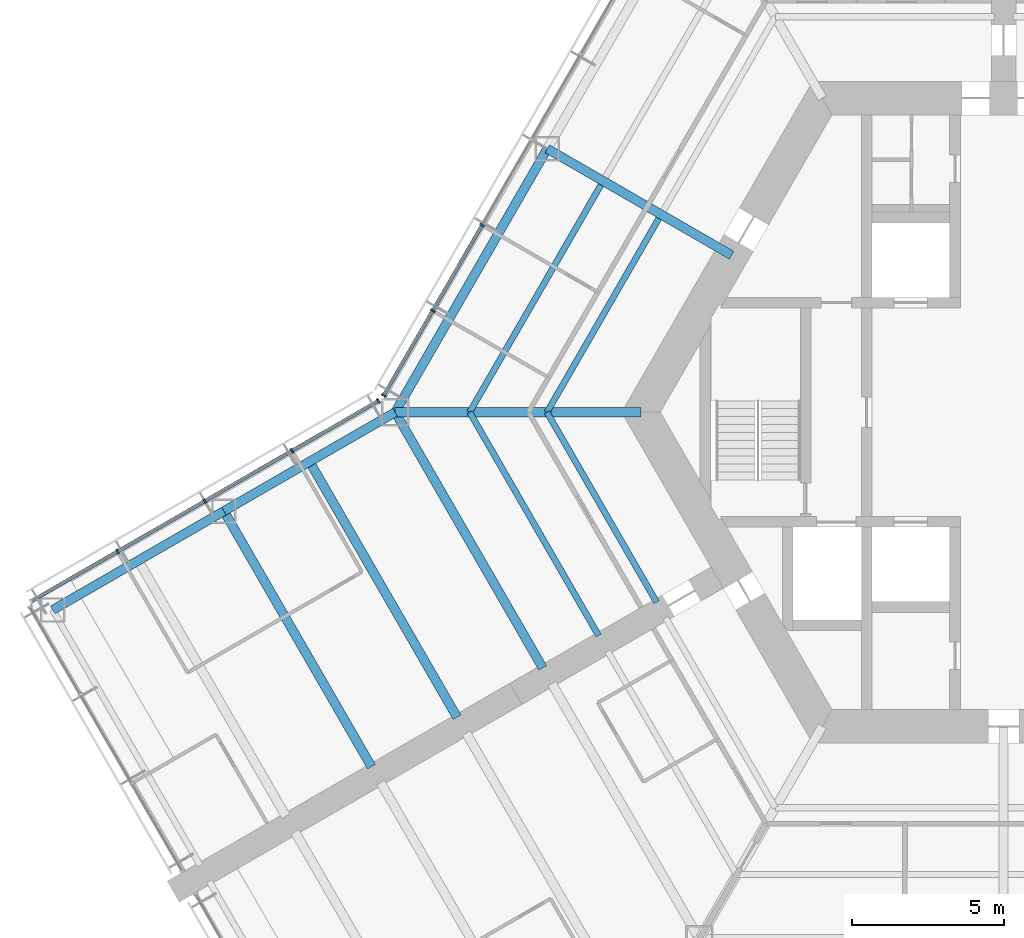
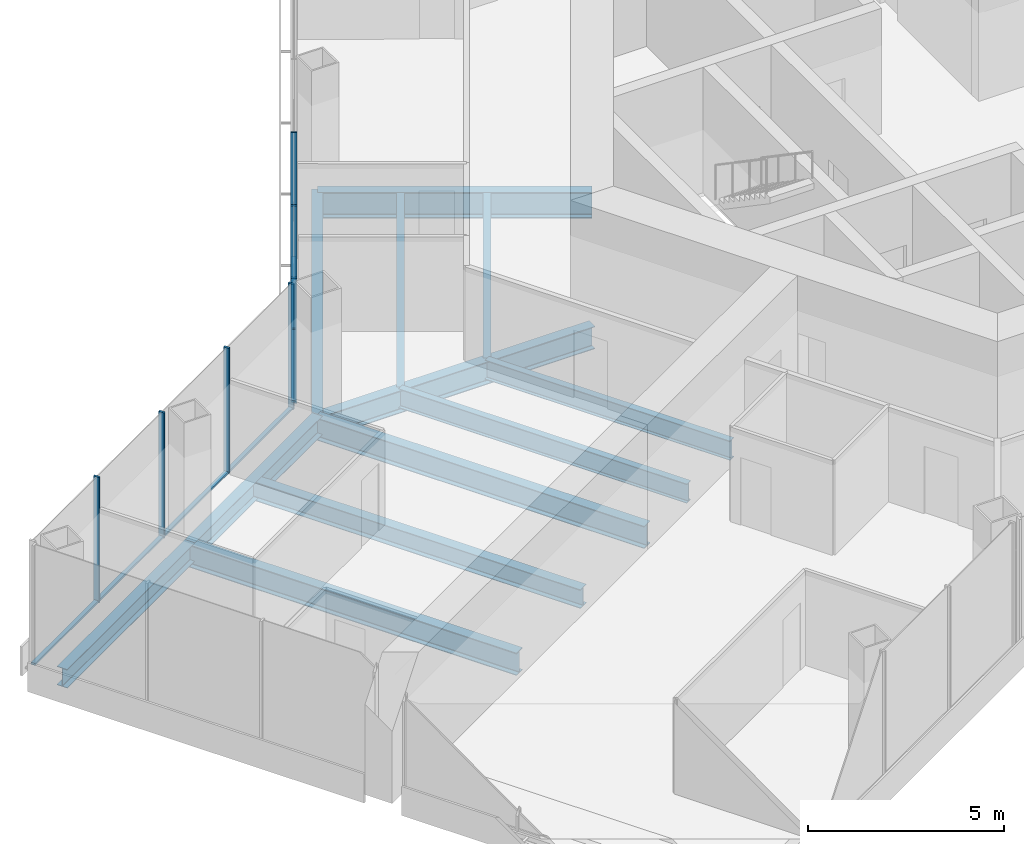
# One storey, part 4 of 18: 13 members, 12 beams, 2 elements without a shape of their own.
"""IFC4 building model written with IfcOpenShell, lengths in metres."""

from ifc_helpers import new_model, si_unit, direction, frame, origin, origin_2d, place, context, subcontext, project, spatial, rectangle, i_section, extrude, material, material_profile, profile_set, type_object, element, aggregate, save


model = new_model("IFC4")

# Units and contexts
model_context = context("Model", 3, precision=1e-05, world=origin(), true_north=direction((0.0, 1.0)))
body_context = subcontext(model_context, "Body", "Model", "MODEL_VIEW")
ifc_project = project(units=[si_unit("LENGTHUNIT", "METRE"), si_unit("AREAUNIT", "SQUARE_METRE"), si_unit("VOLUMEUNIT", "CUBIC_METRE"), si_unit("PLANEANGLEUNIT", "RADIAN"), si_unit("MASSUNIT", "GRAM", prefix="KILO")], contexts=[model_context])

# Site, building, storey
site_placement = place(None, origin())
site = spatial("IfcSite", under=ifc_project, at=site_placement, CompositionType="ELEMENT")
building_placement = place(site_placement, origin())
building = spatial("IfcBuilding", under=site, at=building_placement, Name="Kasaneha Research Tower", CompositionType="ELEMENT")
storey_placement = place(building_placement, frame((0.0, 0.0, 72.89990234375)))
storey = spatial("IfcBuildingStorey", under=building, at=storey_placement, Name="L18", CompositionType="ELEMENT", Elevation=72.89990234375)

# Beams
ifc_material_1 = material(Name="Steel SN490B", Category="steel")
ifc_material_profile_1 = material_profile(ifc_material_1, i_section(OverallWidth=0.199951171875, OverallDepth=0.60009765625, WebThickness=0.010986328125, FlangeThickness=0.01708984375, FilletRadius=0.012939453125, at=origin_2d()), Name="H-600x200x11x17")
ifc_profile_set_1 = profile_set([ifc_material_profile_1], Name="Steel SN490B")
beam_type_1 = type_object("IfcBeamType", Name="B1-3 secondary beam H-600x200x11x17", PredefinedType="JOIST", material=ifc_profile_set_1)
beam_1_placement = place(storey_placement, frame((-15.010986328125, 0.0, -0.449951171875), z_axis=(0.499994443168, 0.866028611999, 0.0), x_axis=(-0.866028611999, 0.499994443168, 0.0)))
element("IfcBeam", 1, at=beam_1_placement, inside=storey, type_object=beam_type_1, Name="Secondary beam RS150R1 L18", PredefinedType="JOIST", context=body_context, shape_type="SweptSolid", body=[
    extrude(i_section(OverallWidth=0.199951171875, OverallDepth=0.60009765625, WebThickness=0.010986328125, FlangeThickness=0.01708984375, FilletRadius=0.012939453125, at=origin_2d()), origin(), (0.0, 0.0, 1.0), 7.35546875),
])
beam_2_placement = place(storey_placement, frame((-17.551513671875, 0.0, -0.449951171875), z_axis=(0.5000050195, 0.866022505755, 0.0), x_axis=(-0.866022505755, 0.5000050195, 0.0)))
element("IfcBeam", 2, at=beam_2_placement, inside=storey, type_object=beam_type_1, Name="Secondary beam RS150R2 L18", PredefinedType="JOIST", context=body_context, shape_type="SweptSolid", body=[
    extrude(i_section(OverallWidth=0.199951171875, OverallDepth=0.60009765625, WebThickness=0.010986328125, FlangeThickness=0.01708984375, FilletRadius=0.012939453125, at=origin_2d()), origin(), (0.0, 0.0, 1.0), 8.6259765625),
])
beam_3_placement = place(storey_placement, frame((-15.010986328125, 0.0, -0.449951171875), z_axis=(0.499972735707, -0.866041144259, 0.0), x_axis=(0.866041144259, 0.499972735707, 0.0)))
element("IfcBeam", 3, at=beam_3_placement, inside=storey, type_object=beam_type_1, Name="Secondary beam RS210L1 L18", PredefinedType="JOIST", context=body_context, shape_type="SweptSolid", body=[
    extrude(i_section(OverallWidth=0.199951171875, OverallDepth=0.60009765625, WebThickness=0.010986328125, FlangeThickness=0.01708984375, FilletRadius=0.012939453125, at=origin_2d()), origin(), (0.0, 0.0, 1.0), 7.20556640625),
])
beam_4_placement = place(storey_placement, frame((-17.551513671875, 0.0, -0.449951171875), z_axis=(0.500020829043, -0.866013377797, 0.0), x_axis=(0.866013377797, 0.500020829043, 0.0)))
element("IfcBeam", 4, at=beam_4_placement, inside=storey, type_object=beam_type_1, Name="Secondary beam RS210L2 L18", PredefinedType="JOIST", context=body_context, shape_type="SweptSolid", body=[
    extrude(i_section(OverallWidth=0.199951171875, OverallDepth=0.60009765625, WebThickness=0.010986328125, FlangeThickness=0.01708984375, FilletRadius=0.012939453125, at=origin_2d()), origin(), (0.0, 0.0, 1.0), 8.475830078125),
])
ifc_material_2 = material(Name="Steel SN490B", Category="steel")
ifc_material_profile_2 = material_profile(ifc_material_2, i_section(OverallWidth=0.300048828125, OverallDepth=0.58203125, WebThickness=0.011962890625, FlangeThickness=0.01708984375, FilletRadius=0.012939453125, at=origin_2d()), Name="H-582x300x12x17")
ifc_profile_set_2 = profile_set([ifc_material_profile_2], Name="Steel SN490B")
beam_type_2 = type_object("IfcBeamType", Name="B2-3 secondary beam H-582x300x12x17", PredefinedType="JOIST", material=ifc_profile_set_2)
beam_5_placement = place(storey_placement, frame((-22.814697265625, -1.625, -0.44091796875), z_axis=(0.500010041276, -0.866019606374, 0.0), x_axis=(0.866019606374, 0.500010041276, 0.0)))
element("IfcBeam", 5, at=beam_5_placement, inside=storey, type_object=beam_type_2, Name="Secondary beam WBBP1 L18", PredefinedType="JOIST", context=body_context, shape_type="SweptSolid", body=[
    extrude(i_section(OverallWidth=0.300048828125, OverallDepth=0.58203125, WebThickness=0.011962890625, FlangeThickness=0.01708984375, FilletRadius=0.012939453125, at=origin_2d()), origin(), (0.0, 0.0, 1.0), 9.699951171875),
])

# Curtain wall, members
ifc_material_3 = material(Name="Glass and aluminium", Category="aluminium")
curtain_wall_type = type_object("IfcCurtainWallType", Name="Low-rise office curtain wall", PredefinedType="USERDEFINED", material=ifc_material_3)
curtain_wall_1_placement = place(storey_placement, origin())
curtain_wall_1 = element("IfcCurtainWall", 6, at=curtain_wall_1_placement, inside=storey, type_object=curtain_wall_type, Name="CW-O1 L18 run 12a", ObjectType="UNITISED CURTAIN WALL", PredefinedType="USERDEFINED")
ifc_material_4 = material(Name="Aluminium 6063-T6", Category="aluminium")
ifc_material_profile_3 = material_profile(ifc_material_4, rectangle(XDim=0.06005859375, YDim=0.159912109375, at=origin_2d()), Name="CW-O1 mullion 60x160")
ifc_profile_set_3 = profile_set([ifc_material_profile_3], Name="Aluminium 6063-T6")
member_type_1 = type_object("IfcMemberType", Name="CW-O1 mullion", PredefinedType="MULLION", material=ifc_profile_set_3)
member_1_placement = place(storey_placement, frame((-17.142822265625, 6.148681640625, 0.0), z_axis=(0.0, 0.0, 1.0), x_axis=(-0.49999996188, -0.866025425793, 0.0)))
member_1 = element("IfcMember", 7, at=member_1_placement, type_object=member_type_1, Name="CW-O1 mullion 5", PredefinedType="MULLION", context=body_context, shape_type="SweptSolid", body=[
    extrude(rectangle(XDim=0.06005859375, YDim=0.159912109375, at=origin_2d()), origin(), (0.0, 0.0, 1.0), 3.900146484375),
])
member_2_placement = place(storey_placement, frame((-18.76611328125, 3.33740234375, 0.0), z_axis=(0.0, 0.0, 1.0), x_axis=(-0.49999996188, -0.866025425793, 0.0)))
member_2 = element("IfcMember", 8, at=member_2_placement, type_object=member_type_1, Name="CW-O1 mullion 6", PredefinedType="MULLION", context=body_context, shape_type="SweptSolid", body=[
    extrude(rectangle(XDim=0.06005859375, YDim=0.159912109375, at=origin_2d()), origin(), (0.0, 0.0, 1.0), 3.900146484375),
])
member_3_placement = place(storey_placement, frame((-20.374267578125, 0.5517578125, 0.0), z_axis=(0.0, 0.0, 1.0), x_axis=(-0.49999996188, -0.866025425793, 0.0)))
member_3 = element("IfcMember", 9, at=member_3_placement, type_object=member_type_1, Name="CW-O1 mullion 7", PredefinedType="MULLION", context=body_context, shape_type="SweptSolid", body=[
    extrude(rectangle(XDim=0.06005859375, YDim=0.159912109375, at=origin_2d()), origin(), (0.0, 0.0, 1.0), 3.900146484375),
])

curtain_wall_2_placement = place(storey_placement, origin())
curtain_wall_2 = element("IfcCurtainWall", 10, at=curtain_wall_2_placement, inside=storey, type_object=curtain_wall_type, Name="CW-O1 L18 run 13a", ObjectType="UNITISED CURTAIN WALL", PredefinedType="USERDEFINED")
member_4_placement = place(storey_placement, frame((-20.5517578125, 0.374267578125, 0.0), z_axis=(0.0, 0.0, 1.0), x_axis=(-0.866025411464, -0.499999986699, 0.0)))
member_4 = element("IfcMember", 11, at=member_4_placement, type_object=member_type_1, Name="CW-O1 mullion 1", PredefinedType="MULLION", context=body_context, shape_type="SweptSolid", body=[
    extrude(rectangle(XDim=0.06005859375, YDim=0.159912109375, at=origin_2d()), origin(), (0.0, 0.0, 1.0), 3.900146484375),
])
member_5_placement = place(storey_placement, frame((-23.39208984375, -1.265625, 0.0), z_axis=(0.0, 0.0, 1.0), x_axis=(-0.866025411464, -0.499999986699, 0.0)))
member_5 = element("IfcMember", 12, at=member_5_placement, type_object=member_type_1, Name="CW-O1 mullion 2", PredefinedType="MULLION", context=body_context, shape_type="SweptSolid", body=[
    extrude(rectangle(XDim=0.06005859375, YDim=0.159912109375, at=origin_2d()), origin(), (0.0, 0.0, 1.0), 3.900146484375),
])
member_6_placement = place(storey_placement, frame((-26.258544921875, -2.920654296875, 0.0), z_axis=(0.0, 0.0, 1.0), x_axis=(-0.866025411464, -0.499999986699, 0.0)))
member_6 = element("IfcMember", 13, at=member_6_placement, type_object=member_type_1, Name="CW-O1 mullion 3", PredefinedType="MULLION", context=body_context, shape_type="SweptSolid", body=[
    extrude(rectangle(XDim=0.06005859375, YDim=0.159912109375, at=origin_2d()), origin(), (0.0, 0.0, 1.0), 3.900146484375),
])
member_7_placement = place(storey_placement, frame((-29.125, -4.575439453125, 0.0), z_axis=(0.0, 0.0, 1.0), x_axis=(-0.866025411464, -0.499999986699, 0.0)))
member_7 = element("IfcMember", 14, at=member_7_placement, type_object=member_type_1, Name="CW-O1 mullion 4", PredefinedType="MULLION", context=body_context, shape_type="SweptSolid", body=[
    extrude(rectangle(XDim=0.06005859375, YDim=0.159912109375, at=origin_2d()), origin(), (0.0, 0.0, 1.0), 3.900146484375),
])

# Member
ifc_material_5 = material(Name="Aluminium 6063-T6", Category="aluminium")
ifc_material_profile_4 = material_profile(ifc_material_5, rectangle(XDim=0.1201171875, YDim=0.06005859375, at=origin_2d()), Name="CW-O1 transom 120x60")
ifc_profile_set_4 = profile_set([ifc_material_profile_4], Name="Aluminium 6063-T6")
member_type_2 = type_object("IfcMemberType", Name="CW-O1 transom", PredefinedType="USERDEFINED", material=ifc_profile_set_4)
member_8_placement = place(storey_placement, frame((-17.15771484375, 6.122802734375, 0.030029296875), z_axis=(-0.500012062035, -0.866018439653, 0.0), x_axis=(0.866018439653, -0.500012062035, 0.0)))
member_8 = element("IfcMember", 15, at=member_8_placement, type_object=member_type_2, Name="CW-O1 transom 5", ObjectType="TRANSOM", PredefinedType="USERDEFINED", context=body_context, shape_type="SweptSolid", body=[
    extrude(rectangle(XDim=0.1201171875, YDim=0.06005859375, at=origin_2d()), origin(), (0.0, 0.0, 1.0), 3.1865234375),
])

member_9_placement = place(storey_placement, frame((-18.781005859375, 3.311279296875, 0.030029296875), z_axis=(-0.499999210213, -0.866025859768, 0.0), x_axis=(0.866025859768, -0.499999210213, 0.0)))
member_9 = element("IfcMember", 16, at=member_9_placement, type_object=member_type_2, Name="CW-O1 transom 6", ObjectType="TRANSOM", PredefinedType="USERDEFINED", context=body_context, shape_type="SweptSolid", body=[
    extrude(rectangle(XDim=0.1201171875, YDim=0.06005859375, at=origin_2d()), origin(), (0.0, 0.0, 1.0), 3.15625),
])

aggregate(curtain_wall_1, [member_1, member_2, member_3, member_8, member_9])

member_10_placement = place(storey_placement, frame((-20.577880859375, 0.359130859375, 0.030029296875), z_axis=(-0.866022692473, -0.500004696101, 0.0), x_axis=(0.500004696101, -0.866022692473, 0.0)))
member_10 = element("IfcMember", 17, at=member_10_placement, type_object=member_type_2, Name="CW-O1 transom 1", ObjectType="TRANSOM", PredefinedType="USERDEFINED", context=body_context, shape_type="SweptSolid", body=[
    extrude(rectangle(XDim=0.1201171875, YDim=0.06005859375, at=origin_2d()), origin(), (0.0, 0.0, 1.0), 3.2197265625),
])

member_11_placement = place(storey_placement, frame((-23.418212890625, -1.28076171875, 0.030029296875), z_axis=(-0.86604797581, -0.499960902066, 0.0), x_axis=(0.499960902066, -0.86604797581, 0.0)))
member_11 = element("IfcMember", 18, at=member_11_placement, type_object=member_type_2, Name="CW-O1 transom 2", ObjectType="TRANSOM", PredefinedType="USERDEFINED", context=body_context, shape_type="SweptSolid", body=[
    extrude(rectangle(XDim=0.1201171875, YDim=0.06005859375, at=origin_2d()), origin(), (0.0, 0.0, 1.0), 3.249755859375),
])

member_12_placement = place(storey_placement, frame((-26.28466796875, -2.935546875, 0.030029296875), z_axis=(-0.86599666273, -0.500049777664, 0.0), x_axis=(0.500049777664, -0.86599666273, 0.0)))
member_12 = element("IfcMember", 19, at=member_12_placement, type_object=member_type_2, Name="CW-O1 transom 3", ObjectType="TRANSOM", PredefinedType="USERDEFINED", context=body_context, shape_type="SweptSolid", body=[
    extrude(rectangle(XDim=0.1201171875, YDim=0.06005859375, at=origin_2d()), origin(), (0.0, 0.0, 1.0), 3.249755859375),
])

member_13_placement = place(storey_placement, frame((-29.15087890625, -4.590576171875, 0.030029296875), z_axis=(-0.866041647767, -0.499971863542, 0.0), x_axis=(0.499971863542, -0.866041647767, 0.0)))
member_13 = element("IfcMember", 20, at=member_13_placement, type_object=member_type_2, Name="CW-O1 transom 4", ObjectType="TRANSOM", PredefinedType="USERDEFINED", context=body_context, shape_type="SweptSolid", body=[
    extrude(rectangle(XDim=0.1201171875, YDim=0.06005859375, at=origin_2d()), origin(), (0.0, 0.0, 1.0), 3.219970703125),
])

aggregate(curtain_wall_2, [member_4, member_5, member_6, member_7, member_10, member_11, member_12, member_13])

# Beams
ifc_material_6 = material(Name="Steel SN490B", Category="steel")
ifc_material_profile_5 = material_profile(ifc_material_6, i_section(OverallWidth=0.300048828125, OverallDepth=0.699951171875, WebThickness=0.012939453125, FlangeThickness=0.02392578125, FilletRadius=0.01806640625, at=origin_2d()), Name="H-700x300x13x24")
ifc_profile_set_5 = profile_set([ifc_material_profile_5], Name="Steel SN490B")
beam_type_3 = type_object("IfcBeamType", Name="G1-3 radial girder H-700x300x13x24", PredefinedType="BEAM", material=ifc_profile_set_5)
beam_6_placement = place(storey_placement, frame((-11.92236328125, 0.0, -0.5), z_axis=(-1.0, 0.0, 0.0), x_axis=(0.0, -1.0, 0.0)))
element("IfcBeam", 21, at=beam_6_placement, inside=storey, type_object=beam_type_3, Name="Radial girder RV180 L18", PredefinedType="BEAM", context=body_context, shape_type="SweptSolid", body=[
    extrude(i_section(OverallWidth=0.300048828125, OverallDepth=0.699951171875, WebThickness=0.012939453125, FlangeThickness=0.02392578125, FilletRadius=0.01806640625, at=origin_2d()), origin(), (0.0, 0.0, 1.0), 8.07763671875),
])
ifc_material_7 = material(Name="Steel SN490B", Category="steel")
ifc_material_profile_6 = material_profile(ifc_material_7, i_section(OverallWidth=0.300048828125, OverallDepth=0.800048828125, WebThickness=0.013916015625, FlangeThickness=0.02587890625, FilletRadius=0.01806640625, at=origin_2d()), Name="H-800x300x14x26")
ifc_profile_set_6 = profile_set([ifc_material_profile_6], Name="Steel SN490B")
beam_type_4 = type_object("IfcBeamType", Name="G2-3 radial girder H-800x300x14x26", PredefinedType="BEAM", material=ifc_profile_set_6)
beam_7_placement = place(storey_placement, frame((-8.941650390625, 5.16259765625, -0.5498046875), z_axis=(-0.866039713508, 0.499975214012, 0.0), x_axis=(-0.499975214012, -0.866039713508, 0.0)))
element("IfcBeam", 22, at=beam_7_placement, inside=storey, type_object=beam_type_4, Name="Radial girder RM150 L18", PredefinedType="BEAM", context=body_context, shape_type="SweptSolid", body=[
    extrude(i_section(OverallWidth=0.300048828125, OverallDepth=0.800048828125, WebThickness=0.013916015625, FlangeThickness=0.02587890625, FilletRadius=0.01806640625, at=origin_2d()), origin(), (0.0, 0.0, 1.0), 6.995361328125),
])
ifc_material_8 = material(Name="Steel SN490B", Category="steel")
ifc_material_profile_7 = material_profile(ifc_material_8, i_section(OverallWidth=0.300048828125, OverallDepth=0.69189453125, WebThickness=0.012939453125, FlangeThickness=0.02001953125, FilletRadius=0.01806640625, at=origin_2d()), Name="H-692x300x13x20")
ifc_profile_set_7 = profile_set([ifc_material_profile_7], Name="Steel SN490B")
beam_type_5 = type_object("IfcBeamType", Name="G3-3 plate edge girder H-692x300x13x20", PredefinedType="BEAM", material=ifc_profile_set_7)
beam_8_placement = place(storey_placement, frame((-20.0, 0.0, -0.495849609375), z_axis=(0.500010041276, -0.866019606374, 0.0), x_axis=(0.866019606374, 0.500010041276, 0.0)))
element("IfcBeam", 23, at=beam_8_placement, inside=storey, type_object=beam_type_5, Name="Plate edge girder PEBP L18", PredefinedType="BEAM", context=body_context, shape_type="SweptSolid", body=[
    extrude(i_section(OverallWidth=0.300048828125, OverallDepth=0.69189453125, WebThickness=0.012939453125, FlangeThickness=0.02001953125, FilletRadius=0.01806640625, at=origin_2d()), origin(), (0.0, 0.0, 1.0), 9.699951171875),
])
ifc_material_9 = material(Name="Steel SN490B", Category="steel")
ifc_material_profile_8 = material_profile(ifc_material_9, i_section(OverallWidth=0.300048828125, OverallDepth=0.699951171875, WebThickness=0.012939453125, FlangeThickness=0.02392578125, FilletRadius=0.01806640625, at=origin_2d()), Name="H-700x300x13x24")
ifc_profile_set_8 = profile_set([ifc_material_profile_8], Name="Steel SN490B")
beam_type_6 = type_object("IfcBeamType", Name="G4-3 wing girder H-700x300x13x24", PredefinedType="BEAM", material=ifc_profile_set_8)
beam_9_placement = place(storey_placement, frame((-25.629150390625, -3.25, -0.5), z_axis=(0.500010041276, -0.866019606374, 0.0), x_axis=(0.866019606374, 0.500010041276, 0.0)))
element("IfcBeam", 24, at=beam_9_placement, inside=storey, type_object=beam_type_6, Name="Wing girder WGBP L18", PredefinedType="BEAM", context=body_context, shape_type="SweptSolid", body=[
    extrude(i_section(OverallWidth=0.300048828125, OverallDepth=0.699951171875, WebThickness=0.012939453125, FlangeThickness=0.02392578125, FilletRadius=0.01806640625, at=origin_2d()), origin(), (0.0, 0.0, 1.0), 9.699951171875),
])
ifc_material_10 = material(Name="Steel SN490B", Category="steel")
ifc_material_profile_9 = material_profile(ifc_material_10, i_section(OverallWidth=0.300048828125, OverallDepth=0.69189453125, WebThickness=0.012939453125, FlangeThickness=0.02001953125, FilletRadius=0.01806640625, at=origin_2d()), Name="H-692x300x13x20")
ifc_profile_set_9 = profile_set([ifc_material_profile_9], Name="Steel SN490B")
beam_type_7 = type_object("IfcBeamType", Name="SB1-3 spandrel beam H-692x300x13x20", PredefinedType="SPANDREL", material=ifc_profile_set_9)
beam_10_placement = place(storey_placement, frame((-20.0, 0.0, -0.495849609375), z_axis=(0.500004234368, 0.866022959057, 0.0), x_axis=(-0.866022959057, 0.500004234368, 0.0)))
element("IfcBeam", 25, at=beam_10_placement, inside=storey, type_object=beam_type_7, Name="Spandrel beam SR150R L18", PredefinedType="SPANDREL", context=body_context, shape_type="SweptSolid", body=[
    extrude(i_section(OverallWidth=0.300048828125, OverallDepth=0.69189453125, WebThickness=0.012939453125, FlangeThickness=0.02001953125, FilletRadius=0.01806640625, at=origin_2d()), origin(), (0.0, 0.0, 1.0), 10.0),
])
ifc_material_11 = material(Name="Steel SN490B", Category="steel")
ifc_material_profile_10 = material_profile(ifc_material_11, i_section(OverallWidth=0.300048828125, OverallDepth=0.58203125, WebThickness=0.011962890625, FlangeThickness=0.01708984375, FilletRadius=0.012939453125, at=origin_2d()), Name="H-582x300x12x17")
ifc_profile_set_10 = profile_set([ifc_material_profile_10], Name="Steel SN490B")
beam_type_8 = type_object("IfcBeamType", Name="SB2-3 spandrel beam H-582x300x12x17", PredefinedType="SPANDREL", material=ifc_profile_set_10)
for number, where, z_axis, x_axis, name in (
    (26, (-20.0, 0.0, -0.44091796875), (-0.866024837091, -0.50000098154, 0.0), (0.50000098154, -0.866024837091, 0.0), "Spandrel beam WSBP1 L18"),
    (27, (-25.629150390625, -3.25, -0.44091796875), (-0.866024837091, -0.50000098154, 0.0), (0.50000098154, -0.866024837091, 0.0), "Spandrel beam WSBP2 L18"),
):
    element("IfcBeam", number, at=place(storey_placement, frame(where, z_axis=z_axis, x_axis=x_axis)), inside=storey, type_object=beam_type_8, Name=name, PredefinedType="SPANDREL", context=body_context, shape_type="SweptSolid", body=[
        extrude(i_section(OverallWidth=0.300048828125, OverallDepth=0.58203125, WebThickness=0.011962890625, FlangeThickness=0.01708984375, FilletRadius=0.012939453125, at=origin_2d()), origin(), (0.0, 0.0, 1.0), 6.5),
    ])

save(model, "model.ifc")
